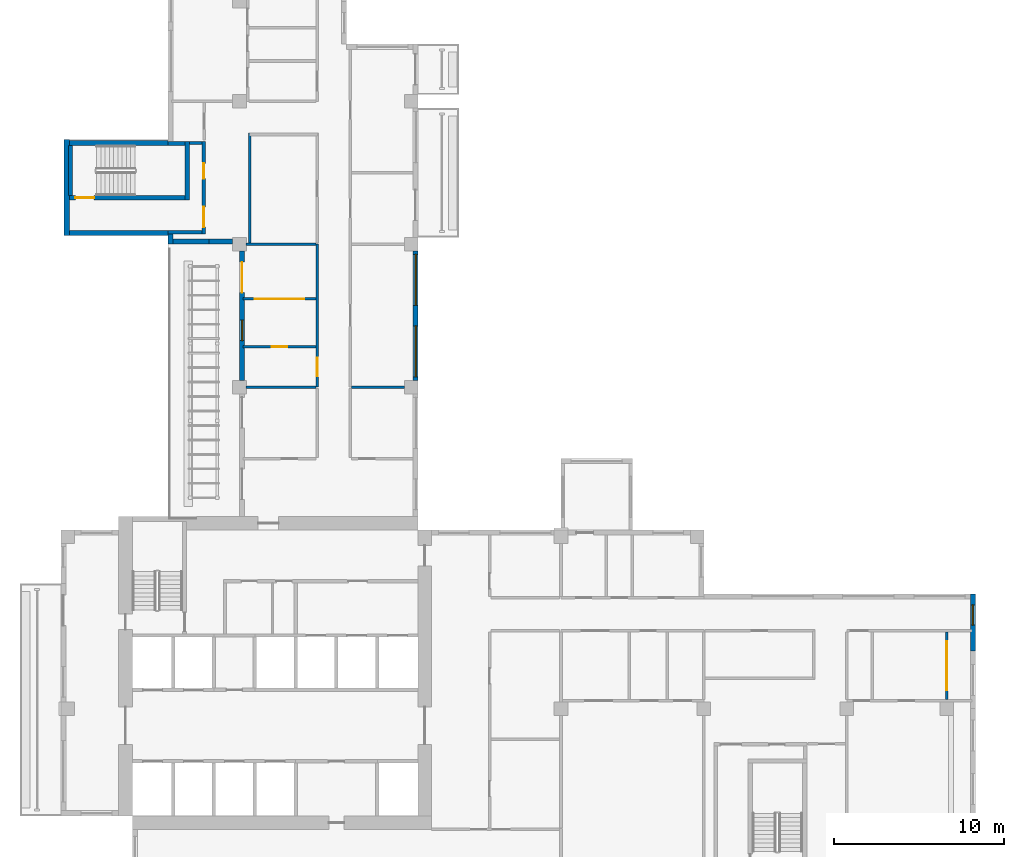
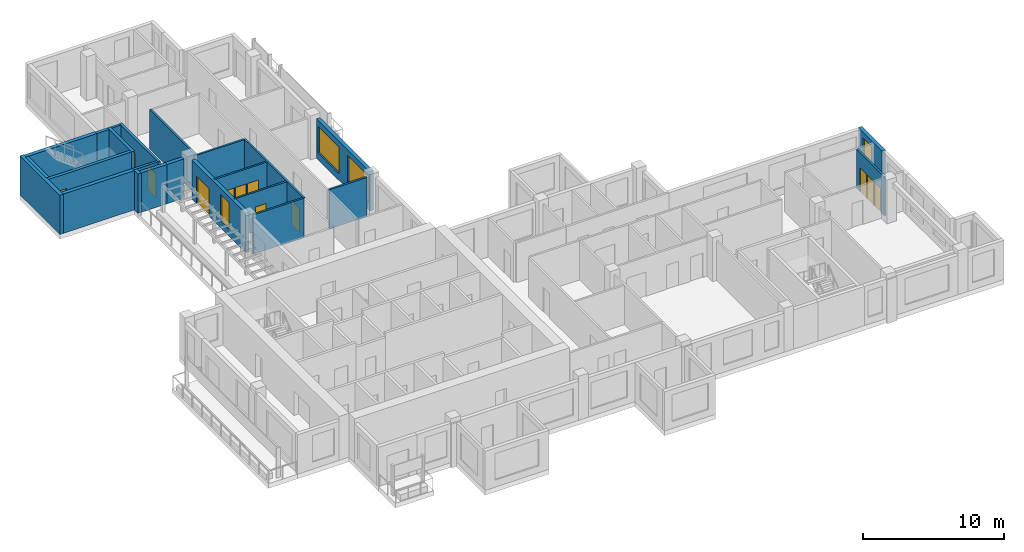
# One storey, part 8 of 14: 24 walls, 12 doors, 4 windows, 16 openings.
"""IFC4 building model written with IfcOpenShell, lengths in metres."""

import ifcopenshell
import ifcopenshell.guid

model = None  # the IFC model being written
_history = None  # IfcOwnerHistory: only IFC2X3 demands one
_inside = {}  # id of a spatial element -> (the spatial element, [elements in it])
_under = {}  # id of a project, library or spatial element -> (it, [spatial elements below it])
_declared = {}  # id of a project -> (the project, [libraries it declares])
_typed = {}  # id of a type object -> (the type object, [elements of that type])
_made_of = {}  # id of a material, layer set ... -> (it, [elements and type objects made of it])


def new_model(schema):
    """Start an empty IFC model of exactly this schema.

    Asked for "IFC4X3", IfcOpenShell would pick the latest addendum, in which some entities
    have other attributes; the version numbers below select the first issue.
    IFC2X3 requires an IfcOwnerHistory on every rooted entity: one is made here for all.
    """
    global model, _history
    if schema == "IFC4X3":
        model = ifcopenshell.file(schema_version=(4, 3, 0, 0))
    else:
        model = ifcopenshell.file(schema=schema)
    _inside.clear()
    _under.clear()
    _declared.clear()
    _typed.clear()
    _made_of.clear()
    _history = None
    if model.schema == "IFC2X3":
        org = make("IfcOrganization", Name="unknown")
        user = make(
            "IfcPersonAndOrganization",
            ThePerson=make("IfcPerson", FamilyName="unknown"),
            TheOrganization=org,
        )
        app = make(
            "IfcApplication",
            ApplicationDeveloper=org,
            Version="unknown",
            ApplicationFullName="unknown",
            ApplicationIdentifier="unknown",
        )
        _history = make(
            "IfcOwnerHistory",
            OwningUser=user,
            OwningApplication=app,
            ChangeAction="ADDED",
            CreationDate=0,
        )
    return model


def make(cls, **values):
    """One entity of the class cls with the attributes given. An attribute that is None is left unset."""
    return model.create_entity(
        cls, **{name: value for name, value in values.items() if value is not None}
    )


def rooted(cls, **values):
    """An entity with a GlobalId (a new one), such as an element, a storey or a relation."""
    return make(cls, GlobalId=ifcopenshell.guid.new(), OwnerHistory=_history, **values)


def si_unit(unit_type, name, prefix=None):
    """IfcSIUnit, for example si_unit("LENGTHUNIT", "METRE", prefix="MILLI")."""
    return make("IfcSIUnit", UnitType=unit_type, Prefix=prefix, Name=name)


def assignment(units):
    """IfcUnitAssignment: the units of a project."""
    return None if units is None else make("IfcUnitAssignment", Units=units)


def point(xyz):
    """IfcCartesianPoint."""
    return None if xyz is None else make("IfcCartesianPoint", Coordinates=xyz)


def direction(xyz):
    """IfcDirection."""
    return None if xyz is None else make("IfcDirection", DirectionRatios=xyz)


def frame(location, z_axis=None, x_axis=None):
    """IfcAxis2Placement3D, a coordinate frame: its origin and axes. An axis left out is left unset."""
    return make(
        "IfcAxis2Placement3D",
        Location=point(location),
        Axis=direction(z_axis),
        RefDirection=direction(x_axis),
    )


def frame_2d(location, x_axis=None):
    """IfcAxis2Placement2D, a coordinate frame in the plane: its origin and x axis."""
    return make(
        "IfcAxis2Placement2D", Location=point(location), RefDirection=direction(x_axis)
    )


def origin():
    """The frame at (0, 0, 0) with its axes left unset."""
    return frame((0.0, 0.0, 0.0))


def place(relative_to, where):
    """IfcLocalPlacement: puts the frame where relative to a parent placement (None: the world)."""
    return make(
        "IfcLocalPlacement", PlacementRelTo=relative_to, RelativePlacement=where
    )


def context(
    kind, dimensions, precision=None, world=None, true_north=None, identifier=None
):
    """IfcGeometricRepresentationContext, for example the 3D "Model" context."""
    return make(
        "IfcGeometricRepresentationContext",
        ContextIdentifier=identifier,
        ContextType=kind,
        CoordinateSpaceDimension=dimensions,
        Precision=precision,
        WorldCoordinateSystem=world,
        TrueNorth=true_north,
    )


def subcontext(parent, identifier, kind, view, scale=None):
    """IfcGeometricRepresentationSubContext, for example "Body" below "Model"."""
    return make(
        "IfcGeometricRepresentationSubContext",
        ContextIdentifier=identifier,
        ContextType=kind,
        ParentContext=parent,
        TargetScale=scale,
        TargetView=view,
    )


def project(units=None, contexts=None):
    """IfcProject with its units and contexts."""
    return rooted(
        "IfcProject",
        Name="project",
        RepresentationContexts=contexts,
        UnitsInContext=assignment(units),
    )


def spatial(cls, under=None, at=None, **own):
    """A site, building, storey or space (cls), placed at a placement, below another one or the project."""
    s = rooted(cls, ObjectPlacement=at, **own)
    if under is not None:
        _under.setdefault(under.id(), (under, []))[1].append(s)
    return s


def profile(cls, at=None, kind="AREA", **sizes):
    """A parametric profile (cls). Its sizes go by their IFC names, for example OverallWidth=200.0."""
    return make(cls, ProfileType=kind, Position=at, **sizes)


def rectangle(**sizes):
    """IfcRectangleProfileDef."""
    return profile("IfcRectangleProfileDef", **sizes)


def extrude(swept, where, along, depth):
    """IfcExtrudedAreaSolid: the profile swept, set in the frame where, extruded along a direction by depth."""
    return make(
        "IfcExtrudedAreaSolid",
        SweptArea=swept,
        Position=where,
        ExtrudedDirection=direction(along),
        Depth=depth,
    )


def shape(context_of_items, identifier, shape_type, items):
    """IfcShapeRepresentation: the items that make up one representation, for example the "Body"."""
    return make(
        "IfcShapeRepresentation",
        ContextOfItems=context_of_items,
        RepresentationIdentifier=identifier,
        RepresentationType=shape_type,
        Items=items,
    )


def source(mapping_origin, context_of_items, identifier, shape_type, items):
    """IfcRepresentationMap: a shape defined once, which mapped items show again and again."""
    return make(
        "IfcRepresentationMap",
        MappingOrigin=mapping_origin,
        MappedRepresentation=shape(context_of_items, identifier, shape_type, items),
    )


def transform(
    local_origin,
    x_axis=None,
    y_axis=None,
    z_axis=None,
    scale=None,
    scale2=None,
    scale3=None,
    uniform=True,
):
    """IfcCartesianTransformationOperator3D, or its non-uniform kind. x_axis, y_axis, z_axis: its Axis1, 2, 3."""
    if uniform:
        return make(
            "IfcCartesianTransformationOperator3D",
            Axis1=direction(x_axis),
            Axis2=direction(y_axis),
            LocalOrigin=point(local_origin),
            Scale=scale,
            Axis3=direction(z_axis),
        )
    return make(
        "IfcCartesianTransformationOperator3DnonUniform",
        Axis1=direction(x_axis),
        Axis2=direction(y_axis),
        LocalOrigin=point(local_origin),
        Scale=scale,
        Axis3=direction(z_axis),
        Scale2=scale2,
        Scale3=scale3,
    )


def mapped(mapping_source, mapping_target):
    """IfcMappedItem: shows the shape of a source again, moved by a transform."""
    return make(
        "IfcMappedItem", MappingSource=mapping_source, MappingTarget=mapping_target
    )


def material(Name=None, Category=None):
    """IfcMaterial."""
    return make("IfcMaterial", Name=Name, Category=Category)


def layer(
    of_material, thickness, ventilated=None, Name=None, Category=None, Priority=None
):
    """IfcMaterialLayer: one layer of a wall or slab, of a material (None: an air gap)."""
    return make(
        "IfcMaterialLayer",
        Material=of_material,
        LayerThickness=thickness,
        IsVentilated=ventilated,
        Name=Name,
        Category=Category,
        Priority=Priority,
    )


def layer_set(layers, Name=None):
    """IfcMaterialLayerSet."""
    return make("IfcMaterialLayerSet", MaterialLayers=layers, LayerSetName=Name)


def made_of(thing, what):
    """Note that an element or type object is made of a material, layer set ...; save() writes the relation."""
    if what is not None:
        _made_of.setdefault(what.id(), (what, []))[1].append(thing)
    return thing


def type_object(cls, material=None, **own):
    """A type object (cls), such as IfcWallType, which elements share."""
    return made_of(rooted(cls, **own), material)


def element(
    cls,
    number,
    at=None,
    inside=None,
    cuts=None,
    type_object=None,
    material=None,
    context=None,
    identifier="Body",
    shape_type=None,
    held_by="IfcProductDefinitionShape",
    body=None,
    shapes=None,
    **own,
):
    """One element of the class cls, such as IfcWall. Its Tag is "e" and its number.

    at: its placement. inside: the storey or other place that contains it. cuts: it is an
    opening in that element (IfcRelVoidsElement). A single representation is given by context,
    identifier, shape_type and body (its items); several are given by shapes. held_by: the class
    of the entity that holds the representations. save() writes the other relations.
    """
    e = rooted(cls, Tag="e%d" % number, ObjectPlacement=at, **own)
    if body is not None:
        shapes = [shape(context, identifier, shape_type, body)]
    if shapes is not None:
        e.Representation = make(held_by, Representations=shapes)
    if inside is not None:
        _inside.setdefault(inside.id(), (inside, []))[1].append(e)
    if cuts is not None:
        rooted(
            "IfcRelVoidsElement", RelatingBuildingElement=cuts, RelatedOpeningElement=e
        )
    if type_object is not None:
        _typed.setdefault(type_object.id(), (type_object, []))[1].append(e)
    return made_of(e, material)


def fill(opening, filler):
    """IfcRelFillsElement: the door or window that sits in an opening."""
    return rooted(
        "IfcRelFillsElement",
        RelatingOpeningElement=opening,
        RelatedBuildingElement=filler,
    )


def aggregate(whole, parts):
    """IfcRelAggregates: a whole, such as a stair, and the parts it consists of."""
    return rooted("IfcRelAggregates", RelatingObject=whole, RelatedObjects=parts)


def save(model, path):
    """Write the relations noted so far, then the file.

    IfcRelAggregates (storeys below a building ...), IfcRelContainedInSpatialStructure (elements
    in a storey), IfcRelDefinesByType, IfcRelAssociatesMaterial and IfcRelDeclares: one each for
    every whole, place, type object, material and project.
    """
    for whole, parts in _under.values():
        aggregate(whole, parts)
    for where, things in _inside.values():
        rooted(
            "IfcRelContainedInSpatialStructure",
            RelatedElements=things,
            RelatingStructure=where,
        )
    for kind, things in _typed.values():
        rooted("IfcRelDefinesByType", RelatedObjects=things, RelatingType=kind)
    for what, things in _made_of.values():
        rooted("IfcRelAssociatesMaterial", RelatedObjects=things, RelatingMaterial=what)
    for by, libraries in _declared.values():
        rooted("IfcRelDeclares", RelatingContext=by, RelatedDefinitions=libraries)
    model.write(path)


model = new_model("IFC4")

# Units and contexts
model_context = context("Model", 3, precision=1e-05, world=origin(), true_north=direction((0.0, 1.0)))
body_context = subcontext(model_context, "Body", "Model", "MODEL_VIEW")
ifc_project = project(units=[si_unit("LENGTHUNIT", "METRE"), si_unit("AREAUNIT", "SQUARE_METRE"), si_unit("VOLUMEUNIT", "CUBIC_METRE"), si_unit("PLANEANGLEUNIT", "RADIAN"), si_unit("MASSUNIT", "GRAM", prefix="KILO")], contexts=[model_context])

# Site, building, storey
site_placement = place(None, origin())
site = spatial("IfcSite", under=ifc_project, at=site_placement, CompositionType="ELEMENT")
building_placement = place(site_placement, origin())
building = spatial("IfcBuilding", under=site, at=building_placement, Name="Aurelian Terraces", CompositionType="ELEMENT")
storey_placement = place(building_placement, frame((0.0, 0.0, 231.0)))
storey = spatial("IfcBuildingStorey", under=building, at=storey_placement, Name="L52", CompositionType="ELEMENT", Elevation=231.0)

# Walls
ifc_material_1 = material(Name="Terracotta rainscreen cladding", Category="masonry")
ifc_layer_1 = layer(ifc_material_1, 0.3)
ifc_layer_set_1 = layer_set([ifc_layer_1], Name="EW-300")
wall_type_1 = type_object("IfcWallType", Name="EW-300", PredefinedType="STANDARD", material=ifc_layer_set_1)
wall_1_placement = place(storey_placement, frame((8.7, 37.95, 0.0), z_axis=(0.0, 0.0, 1.0), x_axis=(1.0, 0.0, 0.0)))
element("IfcWall", 1, at=wall_1_placement, inside=storey, type_object=wall_type_1, Name="External wall L52 F17.31", PredefinedType="STANDARD", context=body_context, shape_type="SweptSolid", body=[
    extrude(rectangle(XDim=1.4, YDim=0.3, at=frame_2d((0.7, 0.0))), origin(), (0.0, 0.0, 1.0), 3.4),
])
ifc_material_2 = material(Name="Concrete fc' 40 MPa", Category="concrete")
ifc_layer_2 = layer(ifc_material_2, 0.3)
ifc_layer_set_2 = layer_set([ifc_layer_2], Name="STAIR BAY WALL 300")
wall_type_2 = type_object("IfcWallType", Name="STAIR BAY WALL 300", PredefinedType="SOLIDWALL", material=ifc_layer_set_2)
shared_shape_1 = source(origin(), body_context, "Body", "SweptSolid", [
    extrude(rectangle(XDim=6.1, YDim=0.3, at=frame_2d((3.05, 0.0))), origin(), (0.0, 0.0, 1.0), 3.4),
])
for number, where, z_axis, x_axis, name in (
    (2, (6.3, 43.75, 0.0), (0.0, 0.0, 1.0), (-1.0, 0.0, 0.0), "Stair bay wall L52 F13.27"),
    (3, (0.2, 38.45, 0.0), (0.0, 0.0, 1.0), (1.0, 0.0, 0.0), "Stair bay wall L52 F15.29"),
):
    element("IfcWall", number, at=place(storey_placement, frame(where, z_axis=z_axis, x_axis=x_axis)), inside=storey, type_object=wall_type_2, Name=name, PredefinedType="SOLIDWALL", context=body_context, shape_type="MappedRepresentation", body=[
        mapped(shared_shape_1, transform((0.0, 0.0, 0.0), scale=1.0)),
    ])

# Wall, opening, window
shared_shape_2 = source(origin(), body_context, "Body", "SweptSolid", [
    extrude(rectangle(XDim=3.375, YDim=0.3, at=frame_2d((1.6875, 0.0))), origin(), (0.0, 0.0, 1.0), 3.4),
])
wall_2_placement = place(storey_placement, frame((53.61, 13.875, 0.0), z_axis=(0.0, 0.0, 1.0), x_axis=(0.0, 1.0, 0.0)))
wall_2 = element("IfcWall", 4, at=wall_2_placement, inside=storey, type_object=wall_type_1, Name="External wall L52 F04.13", PredefinedType="STANDARD", context=body_context, shape_type="MappedRepresentation", body=[
    mapped(shared_shape_2, transform((0.0, 0.0, 0.0), scale=1.0)),
])
shared_shape_3 = source(origin(), body_context, "Body", "SweptSolid", [
    extrude(rectangle(XDim=1.2, YDim=2.3, at=frame_2d((0.6, 1.15))), frame((0.0, 0.16, 0.0), z_axis=(0.0, -1.0, 0.0), x_axis=(1.0, 0.0, 0.0)), (0.0, 0.0, 1.0), 0.32),
])
opening_1_placement = place(wall_2_placement, frame((1.5312, 0.0, 0.6)))
opening_1 = element("IfcOpeningElement", 5, at=opening_1_placement, cuts=wall_2, Name="Opening W1223", PredefinedType="OPENING", context=body_context, shape_type="MappedRepresentation", body=[
    mapped(shared_shape_3, transform((0.0, 0.0, 0.0), scale=1.0)),
])
ifc_material_3 = material(Name="Clear glazing", Category="glass")
window_type_1 = type_object("IfcWindowType", Name="W-1200x2300", PartitioningType="SINGLE_PANEL", PredefinedType="WINDOW", material=ifc_material_3)
shared_shape_4 = source(origin(), body_context, "Body", "SweptSolid", [
    extrude(rectangle(XDim=1.2, YDim=2.3, at=frame_2d((0.6, 1.15))), frame((0.0, 0.03, 0.0), z_axis=(0.0, -1.0, 0.0), x_axis=(1.0, 0.0, 0.0)), (0.0, 0.0, 1.0), 0.06),
])
window_1_placement = place(opening_1_placement, origin())
window_1 = element("IfcWindow", 6, at=window_1_placement, inside=storey, type_object=window_type_1, Name="Window L52 L52-F04-13-P0", OverallHeight=2.3, OverallWidth=1.2, PartitioningType="SINGLE_PANEL", PredefinedType="WINDOW", context=body_context, shape_type="MappedRepresentation", body=[
    mapped(shared_shape_4, transform((0.0, 0.0, 0.0), scale=1.0)),
])
fill(opening_1, window_1)

# Walls
shared_shape_5 = source(origin(), body_context, "Body", "SweptSolid", [
    extrude(rectangle(XDim=5.65, YDim=0.3, at=frame_2d((2.825, 0.0))), origin(), (0.0, 0.0, 1.0), 3.4),
])
wall_3_placement = place(storey_placement, frame((0.35, 43.95, 0.0), z_axis=(0.0, 0.0, 1.0), x_axis=(0.0, -1.0, 0.0)))
element("IfcWall", 7, at=wall_3_placement, inside=storey, type_object=wall_type_2, Name="Stair bay wall L52 F14.28", PredefinedType="SOLIDWALL", context=body_context, shape_type="MappedRepresentation", body=[
    mapped(shared_shape_5, transform((0.0, 0.0, 0.0), scale=1.0)),
])
shared_shape_6 = source(origin(), body_context, "Body", "SweptSolid", [
    extrude(rectangle(XDim=0.6, YDim=0.3, at=frame_2d((0.3, 0.0))), origin(), (0.0, 0.0, 1.0), 3.4),
])
wall_4_placement = place(storey_placement, frame((6.45, 38.4, 0.0), z_axis=(0.0, 0.0, 1.0), x_axis=(0.0, -1.0, 0.0)))
element("IfcWall", 8, at=wall_4_placement, inside=storey, type_object=wall_type_1, Name="External wall L52 F16.30", PredefinedType="STANDARD", context=body_context, shape_type="MappedRepresentation", body=[
    mapped(shared_shape_6, transform((0.0, 0.0, 0.0), scale=1.0)),
])
shared_shape_7 = source(origin(), body_context, "Body", "SweptSolid", [
    extrude(rectangle(XDim=2.1, YDim=0.3, at=frame_2d((1.05, 0.0))), origin(), (0.0, 0.0, 1.0), 3.4),
])
wall_5_placement = place(storey_placement, frame((6.6, 37.95, 0.0), z_axis=(0.0, 0.0, 1.0), x_axis=(1.0, 0.0, 0.0)))
element("IfcWall", 9, at=wall_5_placement, inside=storey, type_object=wall_type_2, Name="Stair bay wall L52 F17.31", PredefinedType="SOLIDWALL", context=body_context, shape_type="MappedRepresentation", body=[
    mapped(shared_shape_7, transform((0.0, 0.0, 0.0), scale=1.0)),
])

# Wall, openings, windows
shared_shape_8 = source(origin(), body_context, "Body", "SweptSolid", [
    extrude(rectangle(XDim=7.6, YDim=0.3, at=frame_2d((3.8, 0.0))), origin(), (0.0, 0.0, 1.0), 3.4),
])
wall_6_placement = place(storey_placement, frame((20.85, 29.8, 0.0), z_axis=(0.0, 0.0, 1.0), x_axis=(0.0, 1.0, 0.0)))
wall_6 = element("IfcWall", 10, at=wall_6_placement, inside=storey, type_object=wall_type_1, Name="External wall L52 F08.19", PredefinedType="STANDARD", context=body_context, shape_type="MappedRepresentation", body=[
    mapped(shared_shape_8, transform((0.0, 0.0, 0.0), scale=1.0)),
])
shared_shape_9 = source(origin(), body_context, "Body", "SweptSolid", [
    extrude(rectangle(XDim=3.0, YDim=2.3, at=frame_2d((1.5, 1.15))), frame((0.0, 0.16, 0.0), z_axis=(0.0, -1.0, 0.0), x_axis=(1.0, 0.0, 0.0)), (0.0, 0.0, 1.0), 0.32),
])
opening_2_placement = place(wall_6_placement, frame((0.2, 0.0, 0.6)))
opening_2 = element("IfcOpeningElement", 11, at=opening_2_placement, cuts=wall_6, Name="Opening W3023", PredefinedType="OPENING", context=body_context, shape_type="MappedRepresentation", body=[
    mapped(shared_shape_9, transform((0.0, 0.0, 0.0), scale=1.0)),
])
opening_3_placement = place(wall_6_placement, frame((4.4, 0.0, 0.6)))
opening_3 = element("IfcOpeningElement", 12, at=opening_3_placement, cuts=wall_6, Name="Opening W3023", PredefinedType="OPENING", context=body_context, shape_type="MappedRepresentation", body=[
    mapped(shared_shape_9, transform((0.0, 0.0, 0.0), scale=1.0)),
])
window_type_2 = type_object("IfcWindowType", Name="W-3000x2300", PartitioningType="SINGLE_PANEL", PredefinedType="WINDOW", material=ifc_material_3)
shared_shape_10 = source(origin(), body_context, "Body", "SweptSolid", [
    extrude(rectangle(XDim=3.0, YDim=2.3, at=frame_2d((1.5, 1.15))), frame((0.0, 0.03, 0.0), z_axis=(0.0, -1.0, 0.0), x_axis=(1.0, 0.0, 0.0)), (0.0, 0.0, 1.0), 0.06),
])
window_2_placement = place(opening_2_placement, origin())
window_2 = element("IfcWindow", 13, at=window_2_placement, inside=storey, type_object=window_type_2, Name="Window L52 L52-F08-19-0", OverallHeight=2.3, OverallWidth=3.0, PartitioningType="SINGLE_PANEL", PredefinedType="WINDOW", context=body_context, shape_type="MappedRepresentation", body=[
    mapped(shared_shape_10, transform((0.0, 0.0, 0.0), scale=1.0)),
])
fill(opening_2, window_2)
window_3_placement = place(opening_3_placement, origin())
window_3 = element("IfcWindow", 14, at=window_3_placement, inside=storey, type_object=window_type_2, Name="Window L52 L52-F08-19-1", OverallHeight=2.3, OverallWidth=3.0, PartitioningType="SINGLE_PANEL", PredefinedType="WINDOW", context=body_context, shape_type="MappedRepresentation", body=[
    mapped(shared_shape_10, transform((0.0, 0.0, 0.0), scale=1.0)),
])
fill(opening_3, window_3)

# Wall, openings, door, window
wall_7_placement = place(storey_placement, frame((10.65, 37.4, 0.0), z_axis=(0.0, 0.0, 1.0), x_axis=(0.0, -1.0, 0.0)))
wall_7 = element("IfcWall", 15, at=wall_7_placement, inside=storey, type_object=wall_type_1, Name="External wall L52 F18.32", PredefinedType="STANDARD", context=body_context, shape_type="MappedRepresentation", body=[
    mapped(shared_shape_8, transform((0.0, 0.0, 0.0), scale=1.0)),
])
shared_shape_11 = source(origin(), body_context, "Body", "SweptSolid", [
    extrude(rectangle(XDim=1.8, YDim=2.4, at=frame_2d((0.9, 1.2))), frame((0.0, 0.16, 0.0), z_axis=(0.0, -1.0, 0.0), x_axis=(1.0, 0.0, 0.0)), (0.0, 0.0, 1.0), 0.32),
])
opening_4_placement = place(wall_7_placement, frame((0.65, 0.0, 0.0)))
opening_4 = element("IfcOpeningElement", 16, at=opening_4_placement, cuts=wall_7, Name="Opening 85204", PredefinedType="OPENING", context=body_context, shape_type="MappedRepresentation", body=[
    mapped(shared_shape_11, transform((0.0, 0.0, 0.0), scale=1.0)),
])
opening_5_placement = place(wall_7_placement, frame((4.0615, 0.0, 0.6)))
opening_5 = element("IfcOpeningElement", 17, at=opening_5_placement, cuts=wall_7, Name="Opening W1223", PredefinedType="OPENING", context=body_context, shape_type="MappedRepresentation", body=[
    mapped(shared_shape_3, transform((0.0, 0.0, 0.0), scale=1.0)),
])
door_type_1 = type_object("IfcDoorType", Name="BD-1800x2400", OperationType="SLIDING_TO_LEFT", PredefinedType="DOOR", material=ifc_material_3)
shared_shape_12 = source(origin(), body_context, "Body", "SweptSolid", [
    extrude(rectangle(XDim=1.8, YDim=2.4, at=frame_2d((0.9, 1.2))), frame((0.0, 0.025, 0.0), z_axis=(0.0, -1.0, 0.0), x_axis=(1.0, 0.0, 0.0)), (0.0, 0.0, 1.0), 0.05),
])
door_1_placement = place(opening_4_placement, origin())
door_1 = element("IfcDoor", 18, at=door_1_placement, inside=storey, type_object=door_type_1, Name="Terrace door L52 L52-F18-32.1", OperationType="SLIDING_TO_LEFT", OverallHeight=2.4, OverallWidth=1.8, PredefinedType="DOOR", context=body_context, shape_type="MappedRepresentation", body=[
    mapped(shared_shape_12, transform((0.0, 0.0, 0.0), scale=1.0)),
])
fill(opening_4, door_1)
window_4_placement = place(opening_5_placement, origin())
window_4 = element("IfcWindow", 19, at=window_4_placement, inside=storey, type_object=window_type_1, Name="Window L52 L52-F18-32-G0-30", OverallHeight=2.3, OverallWidth=1.2, PartitioningType="SINGLE_PANEL", PredefinedType="WINDOW", context=body_context, shape_type="MappedRepresentation", body=[
    mapped(shared_shape_4, transform((0.0, 0.0, 0.0), scale=1.0)),
])
fill(opening_5, window_4)

# Wall, opening, door
ifc_layer_3 = layer(ifc_material_2, 0.25)
ifc_layer_set_3 = layer_set([ifc_layer_3], Name="Stair enclosure wall 250")
wall_type_3 = type_object("IfcWallType", Name="Stair enclosure wall 250", PredefinedType="SOLIDWALL", material=ifc_layer_set_3)
shared_shape_13 = source(origin(), body_context, "Body", "SweptSolid", [
    extrude(rectangle(XDim=7.0, YDim=0.25, at=frame_2d((3.5, 0.0))), origin(), (0.0, 0.0, 1.0), 3.4),
])
wall_8_placement = place(storey_placement, frame((0.3, 40.525, 0.0), z_axis=(0.0, 0.0, 1.0), x_axis=(1.0, 0.0, 0.0)))
wall_8 = element("IfcWall", 20, at=wall_8_placement, inside=storey, type_object=wall_type_3, Name="L52 core wall ST-S3-W", PredefinedType="SOLIDWALL", context=body_context, shape_type="MappedRepresentation", body=[
    mapped(shared_shape_13, transform((0.0, 0.0, 0.0), scale=1.0)),
])
shared_shape_14 = source(origin(), body_context, "Body", "SweptSolid", [
    extrude(rectangle(XDim=1.1, YDim=2.1, at=frame_2d((0.55, 1.05))), frame((0.0, 0.135, 0.0), z_axis=(0.0, -1.0, 0.0), x_axis=(1.0, 0.0, 0.0)), (0.0, 0.0, 1.0), 0.27),
])
opening_6_placement = place(wall_8_placement, frame((0.55, 0.0, 0.0)))
opening_6 = element("IfcOpeningElement", 21, at=opening_6_placement, cuts=wall_8, Name="Opening 65518", PredefinedType="OPENING", context=body_context, shape_type="MappedRepresentation", body=[
    mapped(shared_shape_14, transform((0.0, 0.0, 0.0), scale=1.0)),
])
ifc_material_4 = material(Name="Steel door leaf", Category="steel")
door_type_2 = type_object("IfcDoorType", Name="Core fire door 1100x2100 right", OperationType="SINGLE_SWING_RIGHT", PredefinedType="DOOR", material=ifc_material_4)
shared_shape_15 = source(origin(), body_context, "Body", "SweptSolid", [
    extrude(rectangle(XDim=1.1, YDim=2.1, at=frame_2d((0.55, 1.05))), frame((0.0, 0.025, 0.0), z_axis=(0.0, -1.0, 0.0), x_axis=(1.0, 0.0, 0.0)), (0.0, 0.0, 1.0), 0.05),
])
door_2_placement = place(opening_6_placement, origin())
door_2 = element("IfcDoor", 22, at=door_2_placement, inside=storey, type_object=door_type_2, Name="Stair door 65518", OperationType="SINGLE_SWING_RIGHT", OverallHeight=2.1, OverallWidth=1.1, PredefinedType="DOOR", context=body_context, shape_type="MappedRepresentation", body=[
    mapped(shared_shape_15, transform((0.0, 0.0, 0.0), scale=1.0)),
])
fill(opening_6, door_2)

# Walls
shared_shape_16 = source(origin(), body_context, "Body", "SweptSolid", [
    extrude(rectangle(XDim=3.45, YDim=0.25, at=frame_2d((1.725, 0.0))), origin(), (0.0, 0.0, 1.0), 3.4),
])
wall_9_placement = place(storey_placement, frame((7.425, 40.4, 0.0), z_axis=(0.0, 0.0, 1.0), x_axis=(0.0, 1.0, 0.0)))
element("IfcWall", 23, at=wall_9_placement, inside=storey, type_object=wall_type_3, Name="L52 core wall ST-S3-N", PredefinedType="SOLIDWALL", context=body_context, shape_type="MappedRepresentation", body=[
    mapped(shared_shape_16, transform((0.0, 0.0, 0.0), scale=1.0)),
])
shared_shape_17 = source(origin(), body_context, "Body", "SweptSolid", [
    extrude(rectangle(XDim=2.95, YDim=0.25, at=frame_2d((1.475, 0.0))), origin(), (0.0, 0.0, 1.0), 3.4),
])
wall_10_placement = place(storey_placement, frame((0.575, 40.65, 0.0), z_axis=(0.0, 0.0, 1.0), x_axis=(0.0, 1.0, 0.0)))
element("IfcWall", 24, at=wall_10_placement, inside=storey, type_object=wall_type_3, Name="L52 core wall ST-S3-SS", PredefinedType="SOLIDWALL", context=body_context, shape_type="MappedRepresentation", body=[
    mapped(shared_shape_17, transform((0.0, 0.0, 0.0), scale=1.0)),
])

# Wall, openings, doors
ifc_material_5 = material(Name="Gypsum board on steel studs", Category="steel")
ifc_layer_4 = layer(ifc_material_5, 0.2)
ifc_layer_set_4 = layer_set([ifc_layer_4], Name="Core partition 200")
wall_type_4 = type_object("IfcWallType", Name="Core partition 200", PredefinedType="PARTITIONING", material=ifc_layer_set_4)
shared_shape_18 = source(origin(), body_context, "Body", "SweptSolid", [
    extrude(rectangle(XDim=5.45, YDim=0.2, at=frame_2d((2.725, 0.0))), origin(), (0.0, 0.0, 1.0), 3.4),
])
wall_11_placement = place(storey_placement, frame((8.4, 38.4, 0.0), z_axis=(0.0, 0.0, 1.0), x_axis=(0.0, 1.0, 0.0)))
wall_11 = element("IfcWall", 25, at=wall_11_placement, inside=storey, type_object=wall_type_4, Name="L52 core wall ST-S3-BN", PredefinedType="PARTITIONING", context=body_context, shape_type="MappedRepresentation", body=[
    mapped(shared_shape_18, transform((0.0, 0.0, 0.0), scale=1.0)),
])
shared_shape_19 = source(origin(), body_context, "Body", "SweptSolid", [
    extrude(rectangle(XDim=1.2, YDim=2.1, at=frame_2d((0.6, 1.05))), frame((0.0, 0.11, 0.0), z_axis=(0.0, -1.0, 0.0), x_axis=(1.0, 0.0, 0.0)), (0.0, 0.0, 1.0), 0.22),
])
opening_7_placement = place(wall_11_placement, frame((0.4, 0.0, 0.0)))
opening_7 = element("IfcOpeningElement", 26, at=opening_7_placement, cuts=wall_11, Name="Opening 65519", PredefinedType="OPENING", context=body_context, shape_type="MappedRepresentation", body=[
    mapped(shared_shape_19, transform((0.0, 0.0, 0.0), scale=1.0)),
])
shared_shape_20 = source(origin(), body_context, "Body", "SweptSolid", [
    extrude(rectangle(XDim=0.9, YDim=2.1, at=frame_2d((0.45, 1.05))), frame((0.0, 0.11, 0.0), z_axis=(0.0, -1.0, 0.0), x_axis=(1.0, 0.0, 0.0)), (0.0, 0.0, 1.0), 0.22),
])
opening_8_placement = place(wall_11_placement, frame((3.25, 0.0, 0.0)))
opening_8 = element("IfcOpeningElement", 27, at=opening_8_placement, cuts=wall_11, Name="Opening 65520", PredefinedType="OPENING", context=body_context, shape_type="MappedRepresentation", body=[
    mapped(shared_shape_20, transform((0.0, 0.0, 0.0), scale=1.0)),
])
door_type_3 = type_object("IfcDoorType", Name="Core riser door 900x2100 right", OperationType="SINGLE_SWING_RIGHT", PredefinedType="DOOR", material=ifc_material_4)
shared_shape_21 = source(origin(), body_context, "Body", "SweptSolid", [
    extrude(rectangle(XDim=0.9, YDim=2.1, at=frame_2d((0.45, 1.05))), frame((0.0, 0.025, 0.0), z_axis=(0.0, -1.0, 0.0), x_axis=(1.0, 0.0, 0.0)), (0.0, 0.0, 1.0), 0.05),
])
door_3_placement = place(opening_8_placement, origin())
door_3 = element("IfcDoor", 28, at=door_3_placement, inside=storey, type_object=door_type_3, Name="Riser door 65520", OperationType="SINGLE_SWING_RIGHT", OverallHeight=2.1, OverallWidth=0.9, PredefinedType="DOOR", context=body_context, shape_type="MappedRepresentation", body=[
    mapped(shared_shape_21, transform((0.0, 0.0, 0.0), scale=1.0)),
])
fill(opening_8, door_3)
door_type_4 = type_object("IfcDoorType", Name="Core fire door 1200x2100", OperationType="SINGLE_SWING_LEFT", PredefinedType="DOOR", material=ifc_material_4)
shared_shape_22 = source(origin(), body_context, "Body", "SweptSolid", [
    extrude(rectangle(XDim=1.2, YDim=2.1, at=frame_2d((0.6, 1.05))), frame((0.0, 0.025, 0.0), z_axis=(0.0, -1.0, 0.0), x_axis=(1.0, 0.0, 0.0)), (0.0, 0.0, 1.0), 0.05),
])
door_4_placement = place(opening_7_placement, origin())
door_4 = element("IfcDoor", 29, at=door_4_placement, inside=storey, type_object=door_type_4, Name="Vestibule door 65519", OperationType="SINGLE_SWING_LEFT", OverallHeight=2.1, OverallWidth=1.2, PredefinedType="DOOR", context=body_context, shape_type="MappedRepresentation", body=[
    mapped(shared_shape_22, transform((0.0, 0.0, 0.0), scale=1.0)),
])
fill(opening_7, door_4)

# Walls
shared_shape_23 = source(origin(), body_context, "Body", "SweptSolid", [
    extrude(rectangle(XDim=0.75, YDim=0.2, at=frame_2d((0.375, 0.0))), origin(), (0.0, 0.0, 1.0), 3.4),
])
wall_12_placement = place(storey_placement, frame((7.55, 43.75, 0.0), z_axis=(0.0, 0.0, 1.0), x_axis=(1.0, 0.0, 0.0)))
element("IfcWall", 30, at=wall_12_placement, inside=storey, type_object=wall_type_4, Name="L52 core wall ST-S3-RE", PredefinedType="PARTITIONING", context=body_context, shape_type="MappedRepresentation", body=[
    mapped(shared_shape_23, transform((0.0, 0.0, 0.0), scale=1.0)),
])
shared_shape_24 = source(origin(), body_context, "Body", "SweptSolid", [
    extrude(rectangle(XDim=1.0, YDim=0.25, at=frame_2d((0.5, 0.0))), origin(), (0.0, 0.0, 1.0), 3.4),
])
wall_13_placement = place(storey_placement, frame((6.3, 43.725, 0.0), z_axis=(0.0, 0.0, 1.0), x_axis=(1.0, 0.0, 0.0)))
element("IfcWall", 31, at=wall_13_placement, inside=storey, type_object=wall_type_3, Name="L52 core wall ST-S3-E", PredefinedType="SOLIDWALL", context=body_context, shape_type="MappedRepresentation", body=[
    mapped(shared_shape_24, transform((0.0, 0.0, 0.0), scale=1.0)),
])
shared_shape_25 = source(origin(), body_context, "Body", "SweptSolid", [
    extrude(rectangle(XDim=2.0, YDim=0.2, at=frame_2d((1.0, 0.0))), origin(), (0.0, 0.0, 1.0), 3.4),
])
wall_14_placement = place(storey_placement, frame((6.3, 38.5, 0.0), z_axis=(0.0, 0.0, 1.0), x_axis=(1.0, 0.0, 0.0)))
element("IfcWall", 32, at=wall_14_placement, inside=storey, type_object=wall_type_4, Name="L52 core wall ST-S3-VW", PredefinedType="PARTITIONING", context=body_context, shape_type="MappedRepresentation", body=[
    mapped(shared_shape_25, transform((0.0, 0.0, 0.0), scale=1.0)),
])
ifc_layer_5 = layer(ifc_material_5, 0.15)
ifc_layer_set_5 = layer_set([ifc_layer_5], Name="Partition 150")
wall_type_5 = type_object("IfcWallType", Name="Partition 150", PredefinedType="PARTITIONING", material=ifc_layer_set_5)
shared_shape_26 = source(origin(), body_context, "Body", "SweptSolid", [
    extrude(rectangle(XDim=6.45, YDim=0.15, at=frame_2d((3.225, 0.0))), origin(), (0.0, 0.0, 1.0), 3.4),
])
wall_15_placement = place(storey_placement, frame((11.1, 44.325, 0.0), z_axis=(0.0, 0.0, 1.0), x_axis=(0.0, -1.0, 0.0)))
element("IfcWall", 33, at=wall_15_placement, inside=storey, type_object=wall_type_5, Name="Partition", PredefinedType="PARTITIONING", context=body_context, shape_type="MappedRepresentation", body=[
    mapped(shared_shape_26, transform((0.0, 0.0, 0.0), scale=1.0)),
])

# Wall, opening, door
ifc_layer_6 = layer(ifc_material_5, 0.15)
ifc_layer_set_6 = layer_set([ifc_layer_6], Name="Fire partition 150")
wall_type_6 = type_object("IfcWallType", Name="Fire partition 150", PredefinedType="PARTITIONING", material=ifc_layer_set_6)
shared_shape_27 = source(origin(), body_context, "Body", "SweptSolid", [
    extrude(rectangle(XDim=8.4, YDim=0.15, at=frame_2d((4.2, 0.0))), origin(), (0.0, 0.0, 1.0), 3.4),
])
wall_16_placement = place(storey_placement, frame((15.075, 29.4, 0.0), z_axis=(0.0, 0.0, 1.0), x_axis=(0.0, 1.0, 0.0)))
wall_16 = element("IfcWall", 34, at=wall_16_placement, inside=storey, type_object=wall_type_6, Name="Corridor wall", PredefinedType="PARTITIONING", context=body_context, shape_type="MappedRepresentation", body=[
    mapped(shared_shape_27, transform((0.0, 0.0, 0.0), scale=1.0)),
])
shared_shape_28 = source(origin(), body_context, "Body", "SweptSolid", [
    extrude(rectangle(XDim=1.1, YDim=2.1, at=frame_2d((0.55, 1.05))), frame((0.0, 0.085, 0.0), z_axis=(0.0, -1.0, 0.0), x_axis=(1.0, 0.0, 0.0)), (0.0, 0.0, 1.0), 0.17),
])
opening_9_placement = place(wall_16_placement, frame((0.6385, 0.0, 0.0)))
opening_9 = element("IfcOpeningElement", 35, at=opening_9_placement, cuts=wall_16, Name="Opening 752021", PredefinedType="OPENING", context=body_context, shape_type="MappedRepresentation", body=[
    mapped(shared_shape_28, transform((0.0, 0.0, 0.0), scale=1.0)),
])
door_type_5 = type_object("IfcDoorType", Name="Entrance fire door 1100x2100 right", OperationType="SINGLE_SWING_RIGHT", PredefinedType="DOOR", material=ifc_material_4)
door_5_placement = place(opening_9_placement, origin())
door_5 = element("IfcDoor", 36, at=door_5_placement, inside=storey, type_object=door_type_5, Name="Door 752021", OperationType="SINGLE_SWING_RIGHT", OverallHeight=2.1, OverallWidth=1.1, PredefinedType="DOOR", context=body_context, shape_type="MappedRepresentation", body=[
    mapped(shared_shape_15, transform((0.0, 0.0, 0.0), scale=1.0)),
])
fill(opening_9, door_5)

shared_shape_29 = source(origin(), body_context, "Body", "SweptSolid", [
    extrude(rectangle(XDim=4.295, YDim=0.15, at=frame_2d((2.1475, 0.0))), origin(), (0.0, 0.0, 1.0), 3.4),
])
wall_17_placement = place(storey_placement, frame((15.0, 31.7771, 0.0), z_axis=(0.0, 0.0, 1.0), x_axis=(-1.0, 0.0, 0.0)))
wall_17 = element("IfcWall", 37, at=wall_17_placement, inside=storey, type_object=wall_type_5, Name="Partition", PredefinedType="PARTITIONING", context=body_context, shape_type="MappedRepresentation", body=[
    mapped(shared_shape_29, transform((0.0, 0.0, 0.0), scale=1.0)),
])
shared_shape_30 = source(origin(), body_context, "Body", "SweptSolid", [
    extrude(rectangle(XDim=0.9, YDim=2.1, at=frame_2d((0.45, 1.05))), frame((0.0, 0.085, 0.0), z_axis=(0.0, -1.0, 0.0), x_axis=(1.0, 0.0, 0.0)), (0.0, 0.0, 1.0), 0.17),
])
opening_10_placement = place(wall_17_placement, frame((1.6975, 0.0, 0.0)))
opening_10 = element("IfcOpeningElement", 38, at=opening_10_placement, cuts=wall_17, Name="Opening 752032", PredefinedType="OPENING", context=body_context, shape_type="MappedRepresentation", body=[
    mapped(shared_shape_30, transform((0.0, 0.0, 0.0), scale=1.0)),
])
ifc_material_6 = material(Name="Timber door leaf", Category="wood")
door_type_6 = type_object("IfcDoorType", Name="Room door 900x2100 left", OperationType="SINGLE_SWING_LEFT", PredefinedType="DOOR", material=ifc_material_6)
door_6_placement = place(opening_10_placement, origin())
door_6 = element("IfcDoor", 39, at=door_6_placement, inside=storey, type_object=door_type_6, Name="Door 752032", OperationType="SINGLE_SWING_LEFT", OverallHeight=2.1, OverallWidth=0.9, PredefinedType="DOOR", context=body_context, shape_type="MappedRepresentation", body=[
    mapped(shared_shape_21, transform((0.0, 0.0, 0.0), scale=1.0)),
])
fill(opening_10, door_6)

# Wall, openings, doors
wall_18_placement = place(storey_placement, frame((15.0, 34.5827, 0.0), z_axis=(0.0, 0.0, 1.0), x_axis=(-1.0, 0.0, 0.0)))
wall_18 = element("IfcWall", 40, at=wall_18_placement, inside=storey, type_object=wall_type_5, Name="Partition", PredefinedType="PARTITIONING", context=body_context, shape_type="MappedRepresentation", body=[
    mapped(shared_shape_29, transform((0.0, 0.0, 0.0), scale=1.0)),
])
opening_11_placement = place(wall_18_placement, frame((1.6975, 0.0, 0.0)))
opening_11 = element("IfcOpeningElement", 41, at=opening_11_placement, cuts=wall_18, Name="Opening 752033", PredefinedType="OPENING", context=body_context, shape_type="MappedRepresentation", body=[
    mapped(shared_shape_30, transform((0.0, 0.0, 0.0), scale=1.0)),
])
opening_12_placement = place(wall_18_placement, frame((0.698, 0.0, 0.0)))
opening_12 = element("IfcOpeningElement", 42, at=opening_12_placement, cuts=wall_18, Name="Opening 752035", PredefinedType="OPENING", context=body_context, shape_type="MappedRepresentation", body=[
    mapped(shared_shape_30, transform((0.0, 0.0, 0.0), scale=1.0)),
])
opening_13_placement = place(wall_18_placement, frame((2.698, 0.0, 0.0)))
opening_13 = element("IfcOpeningElement", 43, at=opening_13_placement, cuts=wall_18, Name="Opening 752037", PredefinedType="OPENING", context=body_context, shape_type="MappedRepresentation", body=[
    mapped(shared_shape_30, transform((0.0, 0.0, 0.0), scale=1.0)),
])
door_7_placement = place(opening_11_placement, origin())
door_7 = element("IfcDoor", 44, at=door_7_placement, inside=storey, type_object=door_type_6, Name="Door 752033", OperationType="SINGLE_SWING_LEFT", OverallHeight=2.1, OverallWidth=0.9, PredefinedType="DOOR", context=body_context, shape_type="MappedRepresentation", body=[
    mapped(shared_shape_21, transform((0.0, 0.0, 0.0), scale=1.0)),
])
fill(opening_11, door_7)
door_type_7 = type_object("IfcDoorType", Name="Entrance fire door 900x2100 left", OperationType="SINGLE_SWING_LEFT", PredefinedType="DOOR", material=ifc_material_4)
door_8_placement = place(opening_12_placement, origin())
door_8 = element("IfcDoor", 45, at=door_8_placement, inside=storey, type_object=door_type_7, Name="Door 752035", OperationType="SINGLE_SWING_LEFT", OverallHeight=2.1, OverallWidth=0.9, PredefinedType="DOOR", context=body_context, shape_type="MappedRepresentation", body=[
    mapped(shared_shape_21, transform((0.0, 0.0, 0.0), scale=1.0)),
])
fill(opening_12, door_8)
door_9_placement = place(opening_13_placement, origin())
door_9 = element("IfcDoor", 46, at=door_9_placement, inside=storey, type_object=door_type_7, Name="Door 752037", OperationType="SINGLE_SWING_LEFT", OverallHeight=2.1, OverallWidth=0.9, PredefinedType="DOOR", context=body_context, shape_type="MappedRepresentation", body=[
    mapped(shared_shape_21, transform((0.0, 0.0, 0.0), scale=1.0)),
])
fill(opening_13, door_9)

shared_shape_31 = source(origin(), body_context, "Body", "SweptSolid", [
    extrude(rectangle(XDim=3.95, YDim=0.15, at=frame_2d((1.975, 0.0))), origin(), (0.0, 0.0, 1.0), 3.4),
])
wall_19_placement = place(storey_placement, frame((52.08, 11.05, 0.0), z_axis=(0.0, 0.0, 1.0), x_axis=(0.0, 1.0, 0.0)))
wall_19 = element("IfcWall", 47, at=wall_19_placement, inside=storey, type_object=wall_type_5, Name="Partition", PredefinedType="PARTITIONING", context=body_context, shape_type="MappedRepresentation", body=[
    mapped(shared_shape_31, transform((0.0, 0.0, 0.0), scale=1.0)),
])
opening_14_placement = place(wall_19_placement, frame((1.525, 0.0, 0.0)))
opening_14 = element("IfcOpeningElement", 48, at=opening_14_placement, cuts=wall_19, Name="Opening 752030", PredefinedType="OPENING", context=body_context, shape_type="MappedRepresentation", body=[
    mapped(shared_shape_30, transform((0.0, 0.0, 0.0), scale=1.0)),
])
opening_15_placement = place(wall_19_placement, frame((2.525, 0.0, 0.0)))
opening_15 = element("IfcOpeningElement", 49, at=opening_15_placement, cuts=wall_19, Name="Opening 752034", PredefinedType="OPENING", context=body_context, shape_type="MappedRepresentation", body=[
    mapped(shared_shape_30, transform((0.0, 0.0, 0.0), scale=1.0)),
])
opening_16_placement = place(wall_19_placement, frame((0.525, 0.0, 0.0)))
opening_16 = element("IfcOpeningElement", 50, at=opening_16_placement, cuts=wall_19, Name="Opening 752036", PredefinedType="OPENING", context=body_context, shape_type="MappedRepresentation", body=[
    mapped(shared_shape_30, transform((0.0, 0.0, 0.0), scale=1.0)),
])
door_10_placement = place(opening_14_placement, origin())
door_10 = element("IfcDoor", 51, at=door_10_placement, inside=storey, type_object=door_type_6, Name="Door 752030", OperationType="SINGLE_SWING_LEFT", OverallHeight=2.1, OverallWidth=0.9, PredefinedType="DOOR", context=body_context, shape_type="MappedRepresentation", body=[
    mapped(shared_shape_21, transform((0.0, 0.0, 0.0), scale=1.0)),
])
fill(opening_14, door_10)
door_11_placement = place(opening_15_placement, origin())
door_11 = element("IfcDoor", 52, at=door_11_placement, inside=storey, type_object=door_type_7, Name="Door 752034", OperationType="SINGLE_SWING_LEFT", OverallHeight=2.1, OverallWidth=0.9, PredefinedType="DOOR", context=body_context, shape_type="MappedRepresentation", body=[
    mapped(shared_shape_21, transform((0.0, 0.0, 0.0), scale=1.0)),
])
fill(opening_15, door_11)
door_12_placement = place(opening_16_placement, origin())
door_12 = element("IfcDoor", 53, at=door_12_placement, inside=storey, type_object=door_type_7, Name="Door 752036", OperationType="SINGLE_SWING_LEFT", OverallHeight=2.1, OverallWidth=0.9, PredefinedType="DOOR", context=body_context, shape_type="MappedRepresentation", body=[
    mapped(shared_shape_21, transform((0.0, 0.0, 0.0), scale=1.0)),
])
fill(opening_16, door_12)

# Walls
shared_shape_32 = source(origin(), body_context, "Body", "SweptSolid", [
    extrude(rectangle(XDim=4.101, YDim=0.15, at=frame_2d((2.0505, 0.0))), origin(), (0.0, 0.0, 1.0), 3.4),
])
wall_20_placement = place(storey_placement, frame((15.0, 29.4, 0.0), z_axis=(0.0, 0.0, 1.0), x_axis=(-1.0, 0.0, 0.0)))
element("IfcWall", 54, at=wall_20_placement, inside=storey, type_object=wall_type_5, Name="Partition", PredefinedType="PARTITIONING", context=body_context, shape_type="MappedRepresentation", body=[
    mapped(shared_shape_32, transform((0.0, 0.0, 0.0), scale=1.0)),
])
wall_21_placement = place(storey_placement, frame((15.0, 37.8, 0.0), z_axis=(0.0, 0.0, 1.0), x_axis=(-1.0, 0.0, 0.0)))
element("IfcWall", 55, at=wall_21_placement, inside=storey, type_object=wall_type_6, Name="Party wall", PredefinedType="PARTITIONING", context=body_context, shape_type="MappedRepresentation", body=[
    mapped(shared_shape_32, transform((0.0, 0.0, 0.0), scale=1.0)),
])
shared_shape_33 = source(origin(), body_context, "Body", "SweptSolid", [
    extrude(rectangle(XDim=3.101, YDim=0.15, at=frame_2d((1.5505, 0.0))), origin(), (0.0, 0.0, 1.0), 3.4),
])
wall_22_placement = place(storey_placement, frame((20.201, 29.4, 0.0), z_axis=(0.0, 0.0, 1.0), x_axis=(-1.0, 0.0, 0.0)))
element("IfcWall", 56, at=wall_22_placement, inside=storey, type_object=wall_type_5, Name="Partition", PredefinedType="PARTITIONING", context=body_context, shape_type="MappedRepresentation", body=[
    mapped(shared_shape_33, transform((0.0, 0.0, 0.0), scale=1.0)),
])

save(model, "model.ifc")
